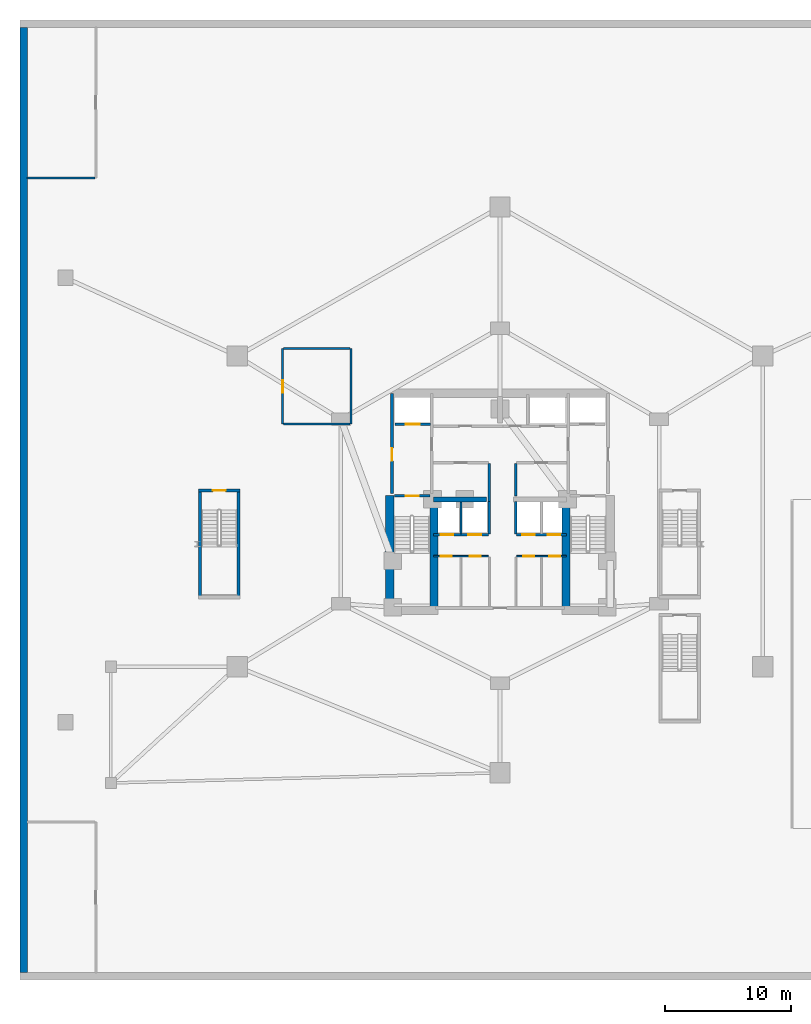
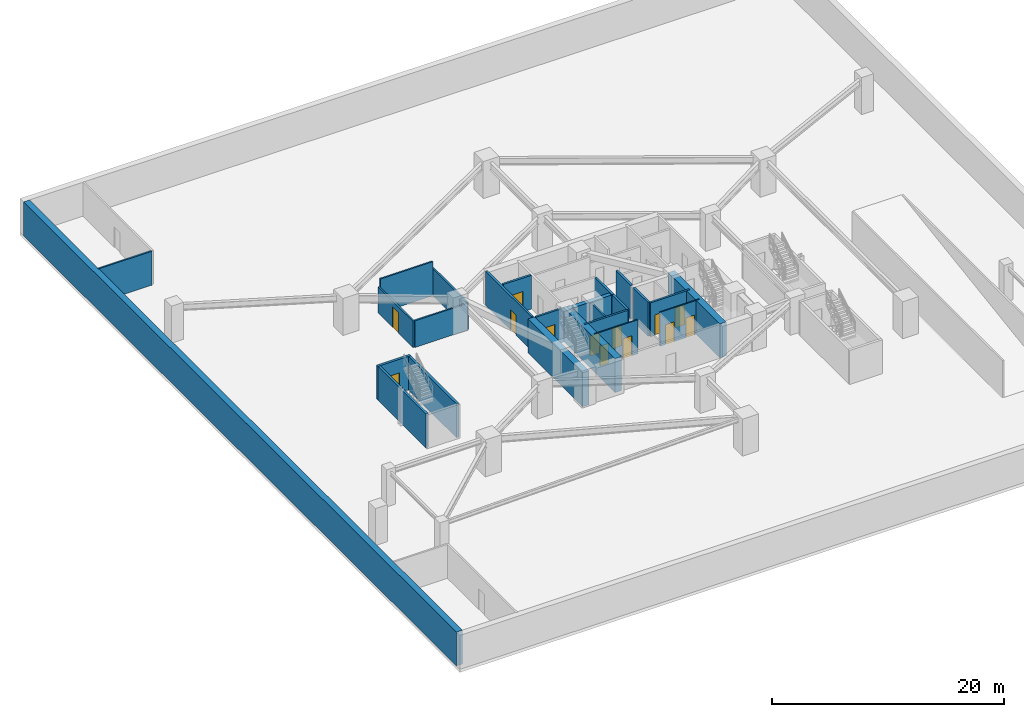
# One storey, part 6 of 12: 25 walls, 13 doors, 13 openings.
"""IFC4 building model written with IfcOpenShell, lengths in metres."""

from ifc_helpers import new_model, si_unit, direction, frame, frame_2d, origin, place, context, subcontext, project, spatial, rectangle, extrude, material, layer, layer_set, type_object, element, fill, save


model = new_model("IFC4")

# Units and contexts
model_context = context("Model", 3, precision=1e-05, world=origin(), true_north=direction((0.0, 1.0)))
body_context = subcontext(model_context, "Body", "Model", "MODEL_VIEW")
ifc_project = project(units=[si_unit("LENGTHUNIT", "METRE"), si_unit("AREAUNIT", "SQUARE_METRE"), si_unit("VOLUMEUNIT", "CUBIC_METRE"), si_unit("PLANEANGLEUNIT", "RADIAN"), si_unit("MASSUNIT", "GRAM", prefix="KILO")], contexts=[model_context])

# Site, building, storey
site_placement = place(None, origin())
site = spatial("IfcSite", under=ifc_project, at=site_placement, CompositionType="ELEMENT")
building_placement = place(site_placement, origin())
building = spatial("IfcBuilding", under=site, at=building_placement, Name="Miruveldt Soraemaru", CompositionType="ELEMENT")
storey_placement = place(building_placement, frame((0.0, 0.0, -7.800048828125)))
storey = spatial("IfcBuildingStorey", under=building, at=storey_placement, Name="B2", CompositionType="ELEMENT", Elevation=-7.800048828125)

# Wall
ifc_material_1 = material(Name="Concrete C70/85 (70 MPa)", Category="concrete")
ifc_layer_1 = layer(ifc_material_1, 0.5, Name="Concrete C70/85 (70 MPa)", Category="concrete")
ifc_layer_set_1 = layer_set([ifc_layer_1], Name="Concrete C70/85 (70 MPa)")
wall_type_1 = type_object("IfcWallType", Name="WALL-BW-500", PredefinedType="SHEAR", material=ifc_layer_set_1)
wall_1_placement = place(storey_placement, frame((38.75, 44.050048828125, 0.0), z_axis=(0.0, 0.0, 1.0), x_axis=(1.0, 0.0, 0.0)))
element("IfcWall", 1, at=wall_1_placement, inside=storey, type_object=wall_type_1, Name="B2 Core Buttress Shear Wall BW", PredefinedType="SHEAR", context=body_context, shape_type="SweptSolid", body=[
    extrude(rectangle(XDim=4.199951171875, YDim=0.39990234375, at=frame_2d((2.10009765625, 0.0))), origin(), (0.0, 0.0, 1.0), 3.580078125),
])

# Wall, opening, door
ifc_material_2 = material(Name="Concrete C50/60 (50 MPa)", Category="concrete")
ifc_layer_2 = layer(ifc_material_2, 0.419921875, Name="Concrete C50/60 (50 MPa)", Category="concrete")
ifc_layer_set_2 = layer_set([ifc_layer_2], Name="Concrete C50/60 (50 MPa)")
wall_type_2 = type_object("IfcWallType", Name="WALL-CW-420", PredefinedType="SHEAR", material=ifc_layer_set_2)
wall_2_placement = place(storey_placement, frame((20.1298828125, 44.75, 0.0), z_axis=(0.0, 0.0, 1.0), x_axis=(1.0, 0.0, 0.0)))
wall_2 = element("IfcWall", 2, at=wall_2_placement, inside=storey, type_object=wall_type_2, Name="B2 Protected Exit Stair ST-3 Structural Shaft Wall N", PredefinedType="SHEAR", context=body_context, shape_type="SweptSolid", body=[
    extrude(rectangle(XDim=3.2900390625, YDim=0.239990234375, at=frame_2d((1.64501953125, 0.0))), origin(), (0.0, 0.0, 1.0), 3.580078125),
])
opening_1_placement = place(wall_2_placement, frame((1.14501953125, 0.0, 0.0)))
opening_1 = element("IfcOpeningElement", 3, at=opening_1_placement, cuts=wall_2, Name="Opening FD1", PredefinedType="OPENING", context=body_context, shape_type="SweptSolid", body=[
    extrude(rectangle(XDim=1.0, YDim=2.14990234375, at=frame_2d((0.5, 1.074951171875))), frame((0.0, 0.1298828125, 0.0), z_axis=(0.0, -1.0, 0.0), x_axis=(1.0, 0.0, 0.0)), (0.0, 0.0, 1.0), 0.260009765625),
])
ifc_material_3 = material(Name="Anodised aluminium EN AW-6063 T6", Category="aluminium")
door_type_1 = type_object("IfcDoorType", Name="DOOR-FD1-1000", OperationType="NOTDEFINED", PredefinedType="DOOR", material=ifc_material_3)
door_1_placement = place(opening_1_placement, frame((1.0, 0.0, 0.0), z_axis=(0.0, 0.0, 1.0), x_axis=(-1.0, 0.0, 0.0)))
door_1 = element("IfcDoor", 4, at=door_1_placement, inside=storey, type_object=door_type_1, Name="B2 Protected Exit Stair ST-3 Fire Door", OperationType="SINGLE_SWING_LEFT", OverallHeight=2.14990234375, OverallWidth=1.0, PredefinedType="DOOR", context=body_context, shape_type="SweptSolid", body=[
    extrude(rectangle(XDim=1.0, YDim=2.14990234375, at=frame_2d((0.5, 1.074951171875))), frame((0.0, 0.02490234375, 0.0), z_axis=(0.0, -1.0, 0.0), x_axis=(1.0, 0.0, 0.0)), (0.0, 0.0, 1.0), 0.050048828125),
])
fill(opening_1, door_1)

# Walls
for number, where, z_axis, x_axis, name in (
    (5, (20.25, 36.35009765625, 0.0), (0.0, 0.0, 1.0), (0.0, 1.0, 0.0), "B2 Protected Exit Stair ST-3 Structural Shaft Wall W"),
    (6, (23.300048828125, 36.35009765625, 0.0), (0.0, 0.0, 1.0), (0.0, 1.0, 0.0), "B2 Protected Exit Stair ST-3 Structural Shaft Wall E"),
):
    element("IfcWall", number, at=place(storey_placement, frame(where, z_axis=z_axis, x_axis=x_axis)), inside=storey, type_object=wall_type_2, Name=name, PredefinedType="SHEAR", context=body_context, shape_type="SweptSolid", body=[
        extrude(rectangle(XDim=8.349853515625, YDim=0.239990234375, at=frame_2d((4.1748046875, 0.0))), origin(), (0.0, 0.0, 1.0), 3.580078125),
    ])
ifc_material_4 = material(Name="Concrete C80/95 (80 MPa)", Category="concrete")
ifc_layer_3 = layer(ifc_material_4, 0.64990234375, Name="Concrete C80/95 (80 MPa)", Category="concrete")
ifc_layer_set_3 = layer_set([ifc_layer_3], Name="Concrete C80/95 (80 MPa)")
wall_type_3 = type_object("IfcWallType", Name="WALL-CW-650", PredefinedType="SHEAR", material=ifc_layer_set_3)
wall_3_placement = place(storey_placement, frame((35.27490234375, 34.949951171875, 0.0), z_axis=(0.0, 0.0, 1.0), x_axis=(0.0, 1.0, 0.0)))
element("IfcWall", 7, at=wall_3_placement, inside=storey, type_object=wall_type_3, Name="B2 Central Core Shear Wall W1", PredefinedType="SHEAR", context=body_context, shape_type="SweptSolid", body=[
    extrude(rectangle(XDim=9.400146484375, YDim=0.64990234375, at=frame_2d((4.7001953125, 0.0))), origin(), (0.0, 0.0, 1.0), 3.580078125),
])
for number, where, z_axis, x_axis, name in (
    (8, (38.77490234375, 35.39990234375, 0.0), (0.0, 0.0, 1.0), (0.0, 1.0, 0.0), "B2 Central Core Shear Wall SW-INT"),
    (9, (49.22509765625, 35.39990234375, 0.0), (0.0, 0.0, 1.0), (0.0, 1.0, 0.0), "B2 Central Core Shear Wall SE-INT"),
):
    element("IfcWall", number, at=place(storey_placement, frame(where, z_axis=z_axis, x_axis=x_axis)), inside=storey, type_object=wall_type_3, Name=name, PredefinedType="SHEAR", context=body_context, shape_type="SweptSolid", body=[
        extrude(rectangle(XDim=8.9501953125, YDim=0.64990234375, at=frame_2d((4.47509765625, 0.0))), origin(), (0.0, 0.0, 1.0), 3.580078125),
    ])

# Wall, openings, doors
ifc_material_5 = material(Name="Gypsum plasterboard lining", Category="gypsum")
ifc_layer_4 = layer(ifc_material_5, 0.1201171875, Name="Gypsum plasterboard lining", Category="gypsum")
ifc_layer_set_4 = layer_set([ifc_layer_4], Name="Gypsum plasterboard lining")
wall_type_4 = type_object("IfcWallType", Name="WALL-INT-P120", PredefinedType="PARTITIONING", material=ifc_layer_set_4)
wall_4_placement = place(storey_placement, frame((38.75, 39.550048828125, 0.0), z_axis=(0.0, 0.0, 1.0), x_axis=(1.0, 0.0, 0.0)))
wall_4 = element("IfcWall", 10, at=wall_4_placement, inside=storey, type_object=wall_type_4, Name="B2 Core Compartment Wall CSW-N", PredefinedType="PARTITIONING", context=body_context, shape_type="SweptSolid", body=[
    extrude(rectangle(XDim=4.330078125, YDim=0.1201171875, at=frame_2d((2.1650390625, 0.0))), origin(), (0.0, 0.0, 1.0), 3.580078125),
])
opening_2_placement = place(wall_4_placement, frame((0.56005859375, 0.0, 0.0)))
opening_2 = element("IfcOpeningElement", 11, at=opening_2_placement, cuts=wall_4, Name="Opening D4", PredefinedType="OPENING", context=body_context, shape_type="SweptSolid", body=[
    extrude(rectangle(XDim=0.8798828125, YDim=2.10009765625, at=frame_2d((0.43994140625, 1.050048828125))), frame((0.0, 0.070068359375, 0.0), z_axis=(0.0, -1.0, 0.0), x_axis=(1.0, 0.0, 0.0)), (0.0, 0.0, 1.0), 0.14013671875),
])
opening_3_placement = place(wall_4_placement, frame((2.860107421875, 0.0, 0.0)))
opening_3 = element("IfcOpeningElement", 12, at=opening_3_placement, cuts=wall_4, Name="Opening D4", PredefinedType="OPENING", context=body_context, shape_type="SweptSolid", body=[
    extrude(rectangle(XDim=0.8798828125, YDim=2.10009765625, at=frame_2d((0.43994140625, 1.050048828125))), frame((0.0, 0.070068359375, 0.0), z_axis=(0.0, -1.0, 0.0), x_axis=(1.0, 0.0, 0.0)), (0.0, 0.0, 1.0), 0.14013671875),
])
door_type_2 = type_object("IfcDoorType", Name="DOOR-INT-880", OperationType="NOTDEFINED", PredefinedType="DOOR", material=ifc_material_3)
door_2_placement = place(opening_2_placement, origin())
door_2 = element("IfcDoor", 13, at=door_2_placement, inside=storey, type_object=door_type_2, Name="B2 Fire Door", OperationType="SINGLE_SWING_LEFT", OverallHeight=2.10009765625, OverallWidth=0.8798828125, PredefinedType="DOOR", context=body_context, shape_type="SweptSolid", body=[
    extrude(rectangle(XDim=0.8798828125, YDim=2.10009765625, at=frame_2d((0.43994140625, 1.050048828125))), frame((0.0, 0.02490234375, 0.0), z_axis=(0.0, -1.0, 0.0), x_axis=(1.0, 0.0, 0.0)), (0.0, 0.0, 1.0), 0.050048828125),
])
fill(opening_2, door_2)
door_3_placement = place(opening_3_placement, origin())
door_3 = element("IfcDoor", 14, at=door_3_placement, inside=storey, type_object=door_type_2, Name="B2 Fire Door", OperationType="SINGLE_SWING_LEFT", OverallHeight=2.10009765625, OverallWidth=0.8798828125, PredefinedType="DOOR", context=body_context, shape_type="SweptSolid", body=[
    extrude(rectangle(XDim=0.8798828125, YDim=2.10009765625, at=frame_2d((0.43994140625, 1.050048828125))), frame((0.0, 0.02490234375, 0.0), z_axis=(0.0, -1.0, 0.0), x_axis=(1.0, 0.0, 0.0)), (0.0, 0.0, 1.0), 0.050048828125),
])
fill(opening_3, door_3)

wall_5_placement = place(storey_placement, frame((45.320068359375, 39.550048828125, 0.0), z_axis=(0.0, 0.0, 1.0), x_axis=(1.0, 0.0, 0.0)))
wall_5 = element("IfcWall", 15, at=wall_5_placement, inside=storey, type_object=wall_type_4, Name="B2 Core Compartment Wall CSE-N", PredefinedType="PARTITIONING", context=body_context, shape_type="SweptSolid", body=[
    extrude(rectangle(XDim=3.929931640625, YDim=0.1201171875, at=frame_2d((1.96484375, 0.0))), origin(), (0.0, 0.0, 1.0), 3.580078125),
])
opening_4_placement = place(wall_5_placement, frame((0.510009765625, 0.0, 0.0)))
opening_4 = element("IfcOpeningElement", 16, at=opening_4_placement, cuts=wall_5, Name="Opening D4", PredefinedType="OPENING", context=body_context, shape_type="SweptSolid", body=[
    extrude(rectangle(XDim=0.8798828125, YDim=2.10009765625, at=frame_2d((0.43994140625, 1.050048828125))), frame((0.0, 0.070068359375, 0.0), z_axis=(0.0, -1.0, 0.0), x_axis=(1.0, 0.0, 0.0)), (0.0, 0.0, 1.0), 0.14013671875),
])
opening_5_placement = place(wall_5_placement, frame((2.56005859375, 0.0, 0.0)))
opening_5 = element("IfcOpeningElement", 17, at=opening_5_placement, cuts=wall_5, Name="Opening D4", PredefinedType="OPENING", context=body_context, shape_type="SweptSolid", body=[
    extrude(rectangle(XDim=0.8798828125, YDim=2.10009765625, at=frame_2d((0.43994140625, 1.050048828125))), frame((0.0, 0.070068359375, 0.0), z_axis=(0.0, -1.0, 0.0), x_axis=(1.0, 0.0, 0.0)), (0.0, 0.0, 1.0), 0.14013671875),
])
door_4_placement = place(opening_4_placement, origin())
door_4 = element("IfcDoor", 18, at=door_4_placement, inside=storey, type_object=door_type_2, Name="B2 Fire Door", OperationType="SINGLE_SWING_LEFT", OverallHeight=2.10009765625, OverallWidth=0.8798828125, PredefinedType="DOOR", context=body_context, shape_type="SweptSolid", body=[
    extrude(rectangle(XDim=0.8798828125, YDim=2.10009765625, at=frame_2d((0.43994140625, 1.050048828125))), frame((0.0, 0.02490234375, 0.0), z_axis=(0.0, -1.0, 0.0), x_axis=(1.0, 0.0, 0.0)), (0.0, 0.0, 1.0), 0.050048828125),
])
fill(opening_4, door_4)
door_5_placement = place(opening_5_placement, origin())
door_5 = element("IfcDoor", 19, at=door_5_placement, inside=storey, type_object=door_type_2, Name="B2 Fire Door", OperationType="SINGLE_SWING_LEFT", OverallHeight=2.10009765625, OverallWidth=0.8798828125, PredefinedType="DOOR", context=body_context, shape_type="SweptSolid", body=[
    extrude(rectangle(XDim=0.8798828125, YDim=2.10009765625, at=frame_2d((0.43994140625, 1.050048828125))), frame((0.0, 0.02490234375, 0.0), z_axis=(0.0, -1.0, 0.0), x_axis=(1.0, 0.0, 0.0)), (0.0, 0.0, 1.0), 0.050048828125),
])
fill(opening_5, door_5)

# Wall, opening, door
ifc_material_6 = material(Name="Concrete C40/50 (40 MPa)", Category="concrete")
ifc_layer_5 = layer(ifc_material_6, 0.159912109375, Name="Concrete C40/50 (40 MPa)", Category="concrete")
ifc_layer_set_5 = layer_set([ifc_layer_5], Name="Concrete C40/50 (40 MPa)")
wall_type_5 = type_object("IfcWallType", Name="WALL-INT-RC160", PredefinedType="SOLIDWALL", material=ifc_layer_set_5)
wall_6_placement = place(storey_placement, frame((26.800048828125, 50.0, 0.0), z_axis=(0.0, 0.0, 1.0), x_axis=(0.0, 1.0, 0.0)))
wall_6 = element("IfcWall", 20, at=wall_6_placement, inside=storey, type_object=wall_type_5, Name="B2 Partition Wall 5", PredefinedType="SOLIDWALL", context=body_context, shape_type="SweptSolid", body=[
    extrude(rectangle(XDim=6.0, YDim=0.159912109375, at=frame_2d((3.0, 0.0))), origin(), (0.0, 0.0, 1.0), 2.76806640625),
])
opening_6_placement = place(wall_6_placement, frame((2.5, 0.0, 0.0)))
opening_6 = element("IfcOpeningElement", 21, at=opening_6_placement, cuts=wall_6, Name="Opening FD1", PredefinedType="OPENING", context=body_context, shape_type="SweptSolid", body=[
    extrude(rectangle(XDim=1.0, YDim=2.14990234375, at=frame_2d((0.5, 1.074951171875))), frame((0.0, 0.08984375, 0.0), z_axis=(0.0, -1.0, 0.0), x_axis=(1.0, 0.0, 0.0)), (0.0, 0.0, 1.0), 0.179931640625),
])
door_6_placement = place(opening_6_placement, origin())
door_6 = element("IfcDoor", 22, at=door_6_placement, inside=storey, type_object=door_type_1, Name="B2 B2 Seasonal Resident Store Fire Door", OperationType="SINGLE_SWING_RIGHT", OverallHeight=2.14990234375, OverallWidth=1.0, PredefinedType="DOOR", context=body_context, shape_type="SweptSolid", body=[
    extrude(rectangle(XDim=1.0, YDim=2.14990234375, at=frame_2d((0.5, 1.074951171875))), frame((0.0, 0.02490234375, 0.0), z_axis=(0.0, -1.0, 0.0), x_axis=(1.0, 0.0, 0.0)), (0.0, 0.0, 1.0), 0.050048828125),
])
fill(opening_6, door_6)

# Walls
wall_7_placement = place(storey_placement, frame((32.199951171875, 56.0, 0.0), z_axis=(0.0, 0.0, 1.0), x_axis=(0.0, -1.0, 0.0)))
element("IfcWall", 23, at=wall_7_placement, inside=storey, type_object=wall_type_5, Name="B2 Partition Wall 7", PredefinedType="SOLIDWALL", context=body_context, shape_type="SweptSolid", body=[
    extrude(rectangle(XDim=6.0, YDim=0.159912109375, at=frame_2d((3.0, 0.0))), origin(), (0.0, 0.0, 1.0), 2.8681640625),
])
wall_8_placement = place(storey_placement, frame((11.919921875, 69.5, 0.0), z_axis=(0.0, 0.0, 1.0), x_axis=(-1.0, 0.0, 0.0)))
element("IfcWall", 24, at=wall_8_placement, inside=storey, type_object=wall_type_5, Name="B2 Partition Wall 2", PredefinedType="SOLIDWALL", context=body_context, shape_type="SweptSolid", body=[
    extrude(rectangle(XDim=5.369873046875, YDim=0.159912109375, at=frame_2d((2.68505859375, 0.0))), origin(), (0.0, 0.0, 1.0), 3.580078125),
])
wall_9_placement = place(storey_placement, frame((26.8798828125, 56.0, 0.0), z_axis=(0.0, 0.0, 1.0), x_axis=(1.0, 0.0, 0.0)))
element("IfcWall", 25, at=wall_9_placement, inside=storey, type_object=wall_type_5, Name="B2 Partition Wall 6", PredefinedType="SOLIDWALL", context=body_context, shape_type="SweptSolid", body=[
    extrude(rectangle(XDim=5.240234375, YDim=0.159912109375, at=frame_2d((2.6201171875, 0.0))), origin(), (0.0, 0.0, 1.0), 3.580078125),
])
wall_10_placement = place(storey_placement, frame((32.1201171875, 50.0, 0.0), z_axis=(0.0, 0.0, 1.0), x_axis=(-1.0, 0.0, 0.0)))
element("IfcWall", 26, at=wall_10_placement, inside=storey, type_object=wall_type_5, Name="B2 Partition Wall 8", PredefinedType="SOLIDWALL", context=body_context, shape_type="SweptSolid", body=[
    extrude(rectangle(XDim=5.240234375, YDim=0.159912109375, at=frame_2d((2.6201171875, 0.0))), origin(), (0.0, 0.0, 1.0), 2.818115234375),
])
wall_11_placement = place(storey_placement, frame((40.89990234375, 41.320068359375, 0.0), z_axis=(0.0, 0.0, 1.0), x_axis=(0.0, 1.0, 0.0)))
element("IfcWall", 27, at=wall_11_placement, inside=storey, type_object=wall_type_5, Name="B2 Core Compartment Wall PLL-DW", PredefinedType="SOLIDWALL", context=body_context, shape_type="SweptSolid", body=[
    extrude(rectangle(XDim=2.530029296875, YDim=0.159912109375, at=frame_2d((1.26513671875, 0.0))), origin(), (0.0, 0.0, 1.0), 3.580078125),
])

# Wall, opening, door
ifc_layer_6 = layer(ifc_material_6, 0.199951171875, Name="Concrete C40/50 (40 MPa)", Category="concrete")
ifc_layer_set_6 = layer_set([ifc_layer_6], Name="Concrete C40/50 (40 MPa)")
wall_type_6 = type_object("IfcWallType", Name="WALL-INT-RC200", PredefinedType="SOLIDWALL", material=ifc_layer_set_6)
wall_12_placement = place(storey_placement, frame((35.449951171875, 44.5, 0.0), z_axis=(0.0, 0.0, 1.0), x_axis=(0.0, 1.0, 0.0)))
wall_12 = element("IfcWall", 28, at=wall_12_placement, inside=storey, type_object=wall_type_6, Name="B2 Core Compartment Wall FFW-OUT", PredefinedType="SOLIDWALL", context=body_context, shape_type="SweptSolid", body=[
    extrude(rectangle(XDim=7.919921875, YDim=0.199951171875, at=frame_2d((3.9599609375, 0.0))), origin(), (0.0, 0.0, 1.0), 3.580078125),
])
opening_7_placement = place(wall_12_placement, frame((2.60009765625, 0.0, 0.0)))
opening_7 = element("IfcOpeningElement", 29, at=opening_7_placement, cuts=wall_12, Name="Opening FD1", PredefinedType="OPENING", context=body_context, shape_type="SweptSolid", body=[
    extrude(rectangle(XDim=1.0, YDim=2.14990234375, at=frame_2d((0.5, 1.074951171875))), frame((0.0, 0.10986328125, 0.0), z_axis=(0.0, -1.0, 0.0), x_axis=(1.0, 0.0, 0.0)), (0.0, 0.0, 1.0), 0.219970703125),
])
door_7_placement = place(opening_7_placement, origin())
door_7 = element("IfcDoor", 30, at=door_7_placement, inside=storey, type_object=door_type_1, Name="B2 West Firefighting Lobby Exit Door", OperationType="SINGLE_SWING_LEFT", OverallHeight=2.14990234375, OverallWidth=1.0, PredefinedType="DOOR", context=body_context, shape_type="SweptSolid", body=[
    extrude(rectangle(XDim=1.0, YDim=2.14990234375, at=frame_2d((0.5, 1.074951171875))), frame((0.0, 0.02490234375, 0.0), z_axis=(0.0, -1.0, 0.0), x_axis=(1.0, 0.0, 0.0)), (0.0, 0.0, 1.0), 0.050048828125),
])
fill(opening_7, door_7)

# Wall, openings, doors
wall_13_placement = place(storey_placement, frame((38.75, 41.25, 0.0), z_axis=(0.0, 0.0, 1.0), x_axis=(1.0, 0.0, 0.0)))
wall_13 = element("IfcWall", 31, at=wall_13_placement, inside=storey, type_object=wall_type_6, Name="B2 Core Compartment Wall LBW-S", PredefinedType="SOLIDWALL", context=body_context, shape_type="SweptSolid", body=[
    extrude(rectangle(XDim=4.330078125, YDim=0.199951171875, at=frame_2d((2.1650390625, 0.0))), origin(), (0.0, 0.0, 1.0), 3.580078125),
])
opening_8_placement = place(wall_13_placement, frame((0.550048828125, 0.0, 0.0)))
opening_8 = element("IfcOpeningElement", 32, at=opening_8_placement, cuts=wall_13, Name="Opening LD1B", PredefinedType="OPENING", context=body_context, shape_type="SweptSolid", body=[
    extrude(rectangle(XDim=1.0, YDim=2.14990234375, at=frame_2d((0.5, 1.074951171875))), frame((0.0, 0.10986328125, 0.0), z_axis=(0.0, -1.0, 0.0), x_axis=(1.0, 0.0, 0.0)), (0.0, 0.0, 1.0), 0.219970703125),
])
opening_9_placement = place(wall_13_placement, frame((2.75, 0.0, 0.0)))
opening_9 = element("IfcOpeningElement", 33, at=opening_9_placement, cuts=wall_13, Name="Opening LD1B", PredefinedType="OPENING", context=body_context, shape_type="SweptSolid", body=[
    extrude(rectangle(XDim=1.0, YDim=2.14990234375, at=frame_2d((0.5, 1.074951171875))), frame((0.0, 0.10986328125, 0.0), z_axis=(0.0, -1.0, 0.0), x_axis=(1.0, 0.0, 0.0)), (0.0, 0.0, 1.0), 0.219970703125),
])
door_type_3 = type_object("IfcDoorType", Name="DOOR-LD1-1000", OperationType="SLIDING_TO_LEFT", PredefinedType="DOOR", material=ifc_material_3)
door_8_placement = place(opening_8_placement, frame((1.0, 0.0, 0.0), z_axis=(0.0, 0.0, 1.0), x_axis=(-1.0, 0.0, 0.0)))
door_8 = element("IfcDoor", 34, at=door_8_placement, inside=storey, type_object=door_type_3, Name="B2 PL-L1 Landing Door", OperationType="SLIDING_TO_LEFT", OverallHeight=2.14990234375, OverallWidth=1.0, PredefinedType="DOOR", context=body_context, shape_type="SweptSolid", body=[
    extrude(rectangle(XDim=1.0, YDim=2.14990234375, at=frame_2d((0.5, 1.074951171875))), frame((0.0, 0.02490234375, 0.0), z_axis=(0.0, -1.0, 0.0), x_axis=(1.0, 0.0, 0.0)), (0.0, 0.0, 1.0), 0.050048828125),
])
fill(opening_8, door_8)
door_9_placement = place(opening_9_placement, frame((1.0, 0.0, 0.0), z_axis=(0.0, 0.0, 1.0), x_axis=(-1.0, 0.0, 0.0)))
door_9 = element("IfcDoor", 35, at=door_9_placement, inside=storey, type_object=door_type_3, Name="B2 PL-L2 Landing Door", OperationType="SLIDING_TO_LEFT", OverallHeight=2.14990234375, OverallWidth=1.0, PredefinedType="DOOR", context=body_context, shape_type="SweptSolid", body=[
    extrude(rectangle(XDim=1.0, YDim=2.14990234375, at=frame_2d((0.5, 1.074951171875))), frame((0.0, 0.02490234375, 0.0), z_axis=(0.0, -1.0, 0.0), x_axis=(1.0, 0.0, 0.0)), (0.0, 0.0, 1.0), 0.050048828125),
])
fill(opening_9, door_9)

wall_14_placement = place(storey_placement, frame((45.320068359375, 41.25, 0.0), z_axis=(0.0, 0.0, 1.0), x_axis=(1.0, 0.0, 0.0)))
wall_14 = element("IfcWall", 36, at=wall_14_placement, inside=storey, type_object=wall_type_6, Name="B2 Core Compartment Wall LBE-S", PredefinedType="SOLIDWALL", context=body_context, shape_type="SweptSolid", body=[
    extrude(rectangle(XDim=3.929931640625, YDim=0.199951171875, at=frame_2d((1.96484375, 0.0))), origin(), (0.0, 0.0, 1.0), 3.580078125),
])
opening_10_placement = place(wall_14_placement, frame((0.449951171875, 0.0, 0.0)))
opening_10 = element("IfcOpeningElement", 37, at=opening_10_placement, cuts=wall_14, Name="Opening LD1B", PredefinedType="OPENING", context=body_context, shape_type="SweptSolid", body=[
    extrude(rectangle(XDim=1.0, YDim=2.14990234375, at=frame_2d((0.5, 1.074951171875))), frame((0.0, 0.10986328125, 0.0), z_axis=(0.0, -1.0, 0.0), x_axis=(1.0, 0.0, 0.0)), (0.0, 0.0, 1.0), 0.219970703125),
])
opening_11_placement = place(wall_14_placement, frame((2.449951171875, 0.0, 0.0)))
opening_11 = element("IfcOpeningElement", 38, at=opening_11_placement, cuts=wall_14, Name="Opening LD1B", PredefinedType="OPENING", context=body_context, shape_type="SweptSolid", body=[
    extrude(rectangle(XDim=1.0, YDim=2.14990234375, at=frame_2d((0.5, 1.074951171875))), frame((0.0, 0.10986328125, 0.0), z_axis=(0.0, -1.0, 0.0), x_axis=(1.0, 0.0, 0.0)), (0.0, 0.0, 1.0), 0.219970703125),
])
door_10_placement = place(opening_10_placement, frame((1.0, 0.0, 0.0), z_axis=(0.0, 0.0, 1.0), x_axis=(-1.0, 0.0, 0.0)))
door_10 = element("IfcDoor", 39, at=door_10_placement, inside=storey, type_object=door_type_3, Name="B2 PL-L3 Landing Door", OperationType="SLIDING_TO_LEFT", OverallHeight=2.14990234375, OverallWidth=1.0, PredefinedType="DOOR", context=body_context, shape_type="SweptSolid", body=[
    extrude(rectangle(XDim=1.0, YDim=2.14990234375, at=frame_2d((0.5, 1.074951171875))), frame((0.0, 0.02490234375, 0.0), z_axis=(0.0, -1.0, 0.0), x_axis=(1.0, 0.0, 0.0)), (0.0, 0.0, 1.0), 0.050048828125),
])
fill(opening_10, door_10)
door_11_placement = place(opening_11_placement, frame((1.0, 0.0, 0.0), z_axis=(0.0, 0.0, 1.0), x_axis=(-1.0, 0.0, 0.0)))
door_11 = element("IfcDoor", 40, at=door_11_placement, inside=storey, type_object=door_type_3, Name="B2 PL-L4 Landing Door", OperationType="SLIDING_TO_LEFT", OverallHeight=2.14990234375, OverallWidth=1.0, PredefinedType="DOOR", context=body_context, shape_type="SweptSolid", body=[
    extrude(rectangle(XDim=1.0, YDim=2.14990234375, at=frame_2d((0.5, 1.074951171875))), frame((0.0, 0.02490234375, 0.0), z_axis=(0.0, -1.0, 0.0), x_axis=(1.0, 0.0, 0.0)), (0.0, 0.0, 1.0), 0.050048828125),
])
fill(opening_11, door_11)

# Wall, opening, door
wall_15_placement = place(storey_placement, frame((35.64990234375, 44.320068359375, 0.0), z_axis=(0.0, 0.0, 1.0), x_axis=(1.0, 0.0, 0.0)))
wall_15 = element("IfcWall", 41, at=wall_15_placement, inside=storey, type_object=wall_type_6, Name="B2 Core Compartment Wall ST1-N", PredefinedType="SOLIDWALL", context=body_context, shape_type="SweptSolid", body=[
    extrude(rectangle(XDim=2.800048828125, YDim=0.199951171875, at=frame_2d((1.39990234375, 0.0))), origin(), (0.0, 0.0, 1.0), 3.580078125),
])
opening_12_placement = place(wall_15_placement, frame((0.89990234375, 0.0, 0.0)))
opening_12 = element("IfcOpeningElement", 42, at=opening_12_placement, cuts=wall_15, Name="Opening FD1", PredefinedType="OPENING", context=body_context, shape_type="SweptSolid", body=[
    extrude(rectangle(XDim=1.0, YDim=2.14990234375, at=frame_2d((0.5, 1.074951171875))), frame((0.0, 0.10986328125, 0.0), z_axis=(0.0, -1.0, 0.0), x_axis=(1.0, 0.0, 0.0)), (0.0, 0.0, 1.0), 0.219970703125),
])
door_12_placement = place(opening_12_placement, frame((1.0, 0.0, 0.0), z_axis=(0.0, 0.0, 1.0), x_axis=(-1.0, 0.0, 0.0)))
door_12 = element("IfcDoor", 43, at=door_12_placement, inside=storey, type_object=door_type_1, Name="B2 Stair ST-1 Fire Door", OperationType="SINGLE_SWING_LEFT", OverallHeight=2.14990234375, OverallWidth=1.0, PredefinedType="DOOR", context=body_context, shape_type="SweptSolid", body=[
    extrude(rectangle(XDim=1.0, YDim=2.14990234375, at=frame_2d((0.5, 1.074951171875))), frame((0.0, 0.02490234375, 0.0), z_axis=(0.0, -1.0, 0.0), x_axis=(1.0, 0.0, 0.0)), (0.0, 0.0, 1.0), 0.050048828125),
])
fill(opening_12, door_12)

wall_16_placement = place(storey_placement, frame((35.679931640625, 50.0, 0.0), z_axis=(0.0, 0.0, 1.0), x_axis=(1.0, 0.0, 0.0)))
wall_16 = element("IfcWall", 44, at=wall_16_placement, inside=storey, type_object=wall_type_6, Name="B2 Core Compartment Wall FFL1-S", PredefinedType="SOLIDWALL", context=body_context, shape_type="SweptSolid", body=[
    extrude(rectangle(XDim=2.800048828125, YDim=0.199951171875, at=frame_2d((1.39990234375, 0.0))), origin(), (0.0, 0.0, 1.0), 3.580078125),
])
opening_13_placement = place(wall_16_placement, frame((0.85009765625, 0.0, 0.0)))
opening_13 = element("IfcOpeningElement", 45, at=opening_13_placement, cuts=wall_16, Name="Opening LD2", PredefinedType="OPENING", context=body_context, shape_type="SweptSolid", body=[
    extrude(rectangle(XDim=1.10009765625, YDim=2.14990234375, at=frame_2d((0.550048828125, 1.074951171875))), frame((0.0, 0.10986328125, 0.0), z_axis=(0.0, -1.0, 0.0), x_axis=(1.0, 0.0, 0.0)), (0.0, 0.0, 1.0), 0.219970703125),
])
door_type_4 = type_object("IfcDoorType", Name="DOOR-LD2-1100", OperationType="SLIDING_TO_LEFT", PredefinedType="DOOR", material=ifc_material_3)
door_13_placement = place(opening_13_placement, origin())
door_13 = element("IfcDoor", 46, at=door_13_placement, inside=storey, type_object=door_type_4, Name="B2 FFL-1 Landing Door", OperationType="SLIDING_TO_LEFT", OverallHeight=2.14990234375, OverallWidth=1.10009765625, PredefinedType="DOOR", context=body_context, shape_type="SweptSolid", body=[
    extrude(rectangle(XDim=1.10009765625, YDim=2.14990234375, at=frame_2d((0.550048828125, 1.074951171875))), frame((0.0, 0.02490234375, 0.0), z_axis=(0.0, -1.0, 0.0), x_axis=(1.0, 0.0, 0.0)), (0.0, 0.0, 1.0), 0.050048828125),
])
fill(opening_13, door_13)

# Walls
wall_17_placement = place(storey_placement, frame((43.14990234375, 43.8798828125, 0.0), z_axis=(0.0, 0.0, 1.0), x_axis=(0.0, 1.0, 0.0)))
element("IfcWall", 47, at=wall_17_placement, inside=storey, type_object=wall_type_6, Name="B2 Core Compartment Wall SP-WB", PredefinedType="SOLIDWALL", context=body_context, shape_type="SweptSolid", body=[
    extrude(rectangle(XDim=3.0, YDim=0.199951171875, at=frame_2d((1.5, 0.0))), origin(), (0.0, 0.0, 1.0), 3.580078125),
])
wall_18_placement = place(storey_placement, frame((45.25, 44.300048828125, 0.0), z_axis=(0.0, 0.0, 1.0), x_axis=(0.0, 1.0, 0.0)))
element("IfcWall", 48, at=wall_18_placement, inside=storey, type_object=wall_type_6, Name="B2 Core Compartment Wall SP-EB", PredefinedType="SOLIDWALL", context=body_context, shape_type="SweptSolid", body=[
    extrude(rectangle(XDim=2.579833984375, YDim=0.199951171875, at=frame_2d((1.2900390625, 0.0))), origin(), (0.0, 0.0, 1.0), 3.580078125),
])
for number, where, z_axis, x_axis, name in (
    (49, (43.14990234375, 41.320068359375, 0.0), (0.0, 0.0, 1.0), (0.0, 1.0, 0.0), "B2 Core Compartment Wall SP-WC"),
    (50, (45.25, 41.320068359375, 0.0), (0.0, 0.0, 1.0), (0.0, 1.0, 0.0), "B2 Core Compartment Wall SP-EC"),
):
    element("IfcWall", number, at=place(storey_placement, frame(where, z_axis=z_axis, x_axis=x_axis)), inside=storey, type_object=wall_type_6, Name=name, PredefinedType="SOLIDWALL", context=body_context, shape_type="SweptSolid", body=[
        extrude(rectangle(XDim=2.559814453125, YDim=0.199951171875, at=frame_2d((1.27978515625, 0.0))), origin(), (0.0, 0.0, 1.0), 3.580078125),
    ])
ifc_layer_7 = layer(ifc_material_2, 0.60009765625, Name="Concrete C50/60 (50 MPa)", Category="concrete")
ifc_layer_set_7 = layer_set([ifc_layer_7], Name="Concrete C50/60 (50 MPa)")
wall_type_7 = type_object("IfcWallType", Name="WALL-RET-600", PredefinedType="SOLIDWALL", material=ifc_layer_set_7)
wall_19_placement = place(storey_placement, frame((6.300048828125, 81.39990234375, 0.0), z_axis=(0.0, 0.0, 1.0), x_axis=(0.0, -1.0, 0.0)))
element("IfcWall", 51, at=wall_19_placement, inside=storey, type_object=wall_type_7, Name="B2 Perimeter Slurry Retaining Wall W", PredefinedType="SOLIDWALL", context=body_context, shape_type="SweptSolid", body=[
    extrude(rectangle(XDim=74.7998046875, YDim=0.60009765625, at=frame_2d((37.39990234375, 0.0))), origin(), (0.0, 0.0, 1.0), 3.580078125),
])

save(model, "model.ifc")
